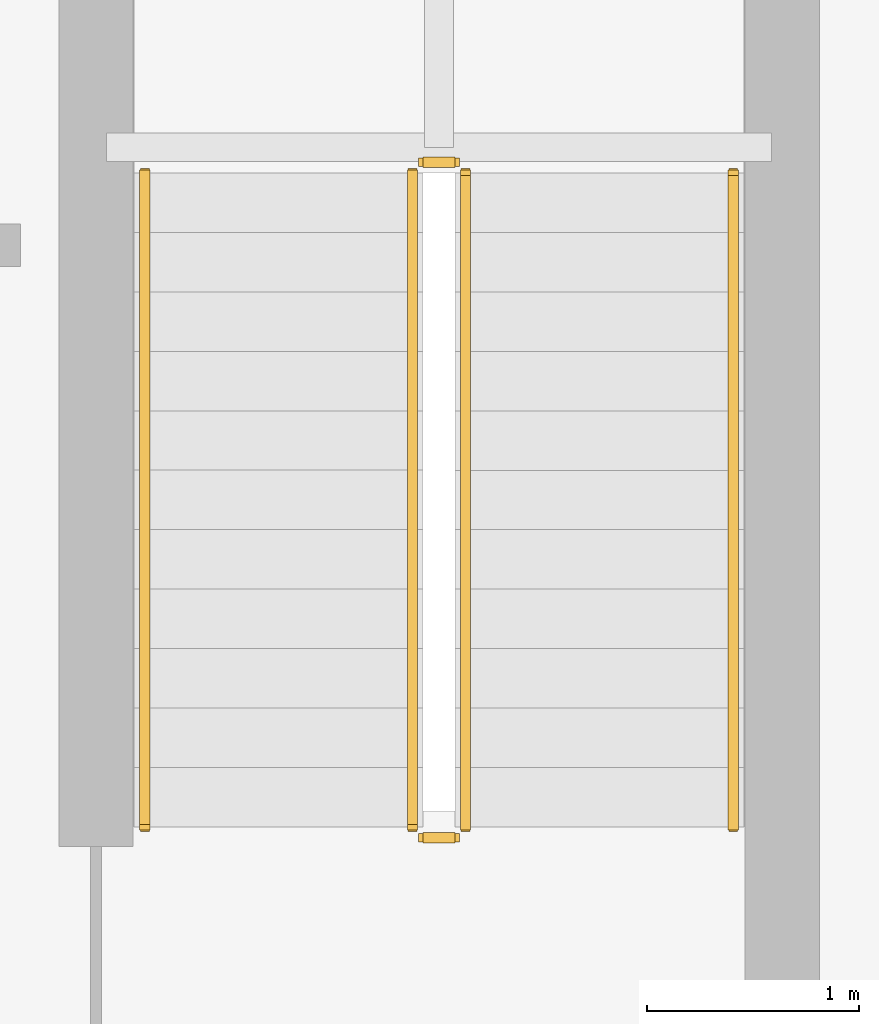
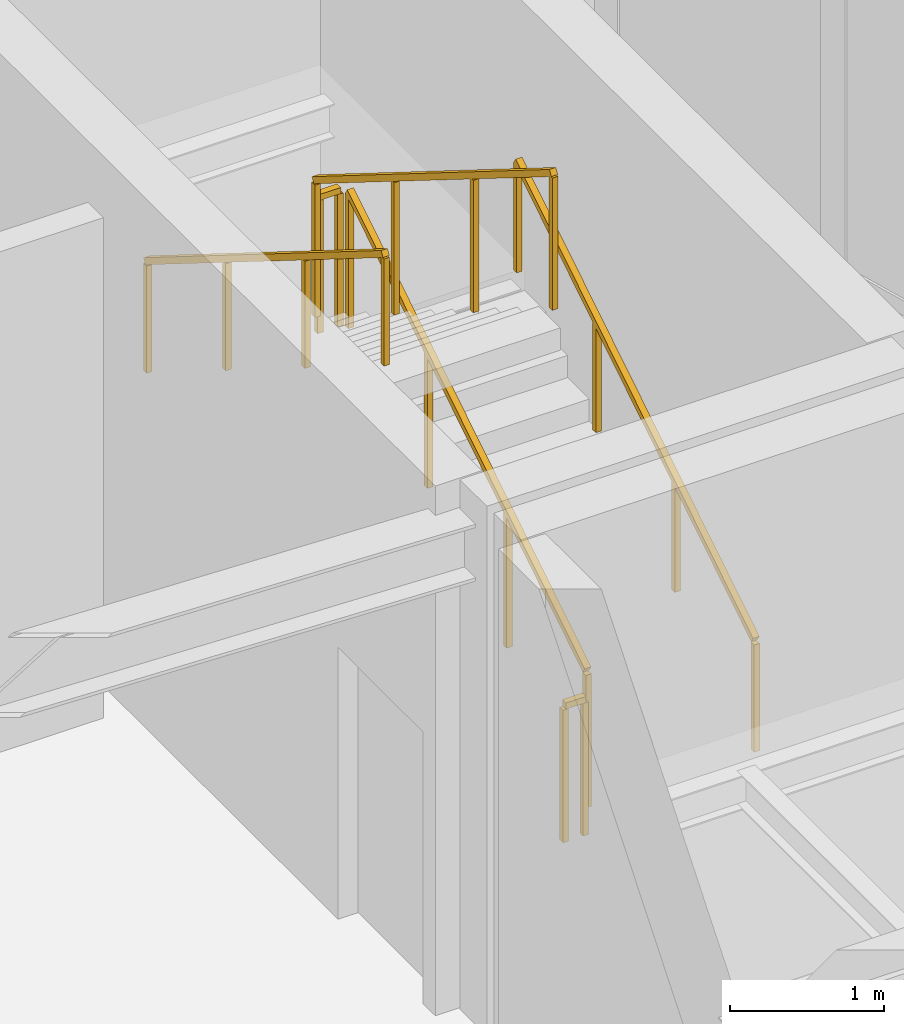
# One storey, part 21 of 21: 6 railings.
"""IFC4 building model written with IfcOpenShell, lengths in metres."""

from ifc_helpers import new_model, si_unit, direction, frame, origin, origin_2d, place, context, subcontext, project, spatial, rectangle, extrude, material, type_object, element, save


model = new_model("IFC4")

# Units and contexts
model_context = context("Model", 3, precision=1e-05, world=origin(), true_north=direction((0.0, 1.0)))
body_context = subcontext(model_context, "Body", "Model", "MODEL_VIEW")
ifc_project = project(units=[si_unit("LENGTHUNIT", "METRE"), si_unit("AREAUNIT", "SQUARE_METRE"), si_unit("VOLUMEUNIT", "CUBIC_METRE"), si_unit("PLANEANGLEUNIT", "RADIAN"), si_unit("MASSUNIT", "GRAM", prefix="KILO")], contexts=[model_context])

# Site, building, storey
site_placement = place(None, origin())
site = spatial("IfcSite", under=ifc_project, at=site_placement, CompositionType="ELEMENT")
building_placement = place(site_placement, origin())
building = spatial("IfcBuilding", under=site, at=building_placement, Name="Varnakorn Sky Granary", CompositionType="ELEMENT")
storey_placement = place(building_placement, frame((0.0, 0.0, 298.199951171875)))
storey = spatial("IfcBuildingStorey", under=building, at=storey_placement, Name="L76", CompositionType="ELEMENT", Elevation=298.199951171875)

# Railings
ifc_material = material(Name="Brushed Stainless Steel 316", Category="steel")
railing_type_1 = type_object("IfcRailingType", Name="RL-STAIR-1100", PredefinedType="GUARDRAIL", material=ifc_material)
railing_1_placement = place(storey_placement, frame((16.090087890625, 1.760009765625, 0.175048828125)))
element("IfcRailing", 1, at=railing_1_placement, inside=storey, type_object=railing_type_1, Name="L76 ST-C1 stair guard 1", PredefinedType="GUARDRAIL", context=body_context, shape_type="SweptSolid", body=[
    extrude(rectangle(XDim=0.048095703125, YDim=0.048095703125, at=origin_2d()), frame((0.0, 0.0, 1.076171875), z_axis=(0.0, 0.847998304005, 0.529998940003), x_axis=(-1.0, 0.0, 0.0)), (0.0, 0.0, 1.0), 3.632080078125),
    extrude(rectangle(XDim=0.0419921875, YDim=0.0419921875, at=origin_2d()), origin(), (0.0, 0.0, 1.0), 1.048095703125),
    extrude(rectangle(XDim=0.0419921875, YDim=0.0419921875, at=origin_2d()), frame((0.0, 1.026611328125, 0.6416015625)), (0.0, 0.0, 1.0), 1.048095703125),
    extrude(rectangle(XDim=0.0419921875, YDim=0.0419921875, at=origin_2d()), frame((0.0, 2.053466796875, 1.283447265625)), (0.0, 0.0, 1.0), 1.048095703125),
    extrude(rectangle(XDim=0.0419921875, YDim=0.0419921875, at=origin_2d()), frame((0.0, 3.080078125, 1.925048828125)), (0.0, 0.0, 1.0), 1.048095703125),
])
railing_2_placement = place(storey_placement, frame((16.0400390625, 4.889892578125, 2.10009765625)))
element("IfcRailing", 2, at=railing_2_placement, inside=storey, type_object=railing_type_1, Name="L76 ST-C1 stair guard 2", PredefinedType="GUARDRAIL", context=body_context, shape_type="SweptSolid", body=[
    extrude(rectangle(XDim=0.048095703125, YDim=0.048095703125, at=origin_2d()), frame((0.0, 0.0, 1.076171875), z_axis=(-1.0, 0.0, 0.0), x_axis=(0.0, -1.0, 0.0)), (0.0, 0.0, 1.0), 0.150146484375),
    extrude(rectangle(XDim=0.0419921875, YDim=0.0419921875, at=origin_2d()), origin(), (0.0, 0.0, 1.0), 1.048095703125),
    extrude(rectangle(XDim=0.0419921875, YDim=0.0419921875, at=origin_2d()), frame((-0.150146484375, 0.0, 0.0)), (0.0, 0.0, 1.0), 1.048095703125),
])
railing_3_placement = place(storey_placement, frame((15.840087890625, 4.840087890625, 2.275146484375)))
element("IfcRailing", 3, at=railing_3_placement, inside=storey, type_object=railing_type_1, Name="L76 ST-C1 stair guard 3", PredefinedType="GUARDRAIL", context=body_context, shape_type="SweptSolid", body=[
    extrude(rectangle(XDim=0.048095703125, YDim=0.048095703125, at=origin_2d()), frame((0.0, 0.0, 1.076171875), z_axis=(0.0, -0.848028513186, 0.529950602248), x_axis=(1.0, 0.0, 0.0)), (0.0, 0.0, 1.0), 3.632080078125),
    extrude(rectangle(XDim=0.0419921875, YDim=0.0419921875, at=origin_2d()), origin(), (0.0, 0.0, 1.0), 1.048095703125),
    extrude(rectangle(XDim=0.0419921875, YDim=0.0419921875, at=origin_2d()), frame((0.0, -1.026611328125, 0.6416015625)), (0.0, 0.0, 1.0), 1.048095703125),
    extrude(rectangle(XDim=0.0419921875, YDim=0.0419921875, at=origin_2d()), frame((0.0, -2.053466796875, 1.283203125)), (0.0, 0.0, 1.0), 1.048095703125),
    extrude(rectangle(XDim=0.0419921875, YDim=0.0419921875, at=origin_2d()), frame((0.0, -3.080078125, 1.9248046875)), (0.0, 0.0, 1.0), 1.048095703125),
])
railing_4_placement = place(storey_placement, frame((16.0400390625, 1.7099609375, 0.0)))
element("IfcRailing", 4, at=railing_4_placement, inside=storey, type_object=railing_type_1, Name="L76 ST-C1 stair guard 4", PredefinedType="GUARDRAIL", context=body_context, shape_type="SweptSolid", body=[
    extrude(rectangle(XDim=0.048095703125, YDim=0.048095703125, at=origin_2d()), frame((0.0, 0.0, 1.076171875), z_axis=(-1.0, 0.0, 0.0), x_axis=(0.0, -1.0, 0.0)), (0.0, 0.0, 1.0), 0.150146484375),
    extrude(rectangle(XDim=0.0419921875, YDim=0.0419921875, at=origin_2d()), origin(), (0.0, 0.0, 1.0), 1.048095703125),
    extrude(rectangle(XDim=0.0419921875, YDim=0.0419921875, at=origin_2d()), frame((-0.150146484375, 0.0, 0.0)), (0.0, 0.0, 1.0), 1.048095703125),
])
railing_type_2 = type_object("IfcRailingType", Name="RL-STAIR-920", PredefinedType="HANDRAIL", material=ifc_material)
railing_5_placement = place(storey_placement, frame((17.35009765625, 1.760009765625, 0.175048828125)))
element("IfcRailing", 5, at=railing_5_placement, inside=storey, type_object=railing_type_2, Name="L76 ST-C1 stair handrail 1", PredefinedType="HANDRAIL", context=body_context, shape_type="SweptSolid", body=[
    extrude(rectangle(XDim=0.048095703125, YDim=0.048095703125, at=origin_2d()), frame((0.0, 0.0, 0.8759765625), z_axis=(0.0, 0.847998304005, 0.529998940003), x_axis=(-1.0, 0.0, 0.0)), (0.0, 0.0, 1.0), 3.632080078125),
    extrude(rectangle(XDim=0.0419921875, YDim=0.0419921875, at=origin_2d()), origin(), (0.0, 0.0, 1.0), 0.847900390625),
    extrude(rectangle(XDim=0.0419921875, YDim=0.0419921875, at=origin_2d()), frame((0.0, 1.026611328125, 0.6416015625)), (0.0, 0.0, 1.0), 0.847900390625),
    extrude(rectangle(XDim=0.0419921875, YDim=0.0419921875, at=origin_2d()), frame((0.0, 2.053466796875, 1.283447265625)), (0.0, 0.0, 1.0), 0.847900390625),
    extrude(rectangle(XDim=0.0419921875, YDim=0.0419921875, at=origin_2d()), frame((0.0, 3.080078125, 1.925048828125)), (0.0, 0.0, 1.0), 0.847900390625),
])
railing_6_placement = place(storey_placement, frame((14.580078125, 4.840087890625, 2.275146484375)))
element("IfcRailing", 6, at=railing_6_placement, inside=storey, type_object=railing_type_2, Name="L76 ST-C1 stair handrail 2", PredefinedType="HANDRAIL", context=body_context, shape_type="SweptSolid", body=[
    extrude(rectangle(XDim=0.048095703125, YDim=0.048095703125, at=origin_2d()), frame((0.0, 0.0, 0.8759765625), z_axis=(0.0, -0.848028513186, 0.529950602248), x_axis=(1.0, 0.0, 0.0)), (0.0, 0.0, 1.0), 3.632080078125),
    extrude(rectangle(XDim=0.0419921875, YDim=0.0419921875, at=origin_2d()), origin(), (0.0, 0.0, 1.0), 0.847900390625),
    extrude(rectangle(XDim=0.0419921875, YDim=0.0419921875, at=origin_2d()), frame((0.0, -1.026611328125, 0.6416015625)), (0.0, 0.0, 1.0), 0.847900390625),
    extrude(rectangle(XDim=0.0419921875, YDim=0.0419921875, at=origin_2d()), frame((0.0, -2.053466796875, 1.283203125)), (0.0, 0.0, 1.0), 0.847900390625),
    extrude(rectangle(XDim=0.0419921875, YDim=0.0419921875, at=origin_2d()), frame((0.0, -3.080078125, 1.9248046875)), (0.0, 0.0, 1.0), 0.847900390625),
])

save(model, "model.ifc")
